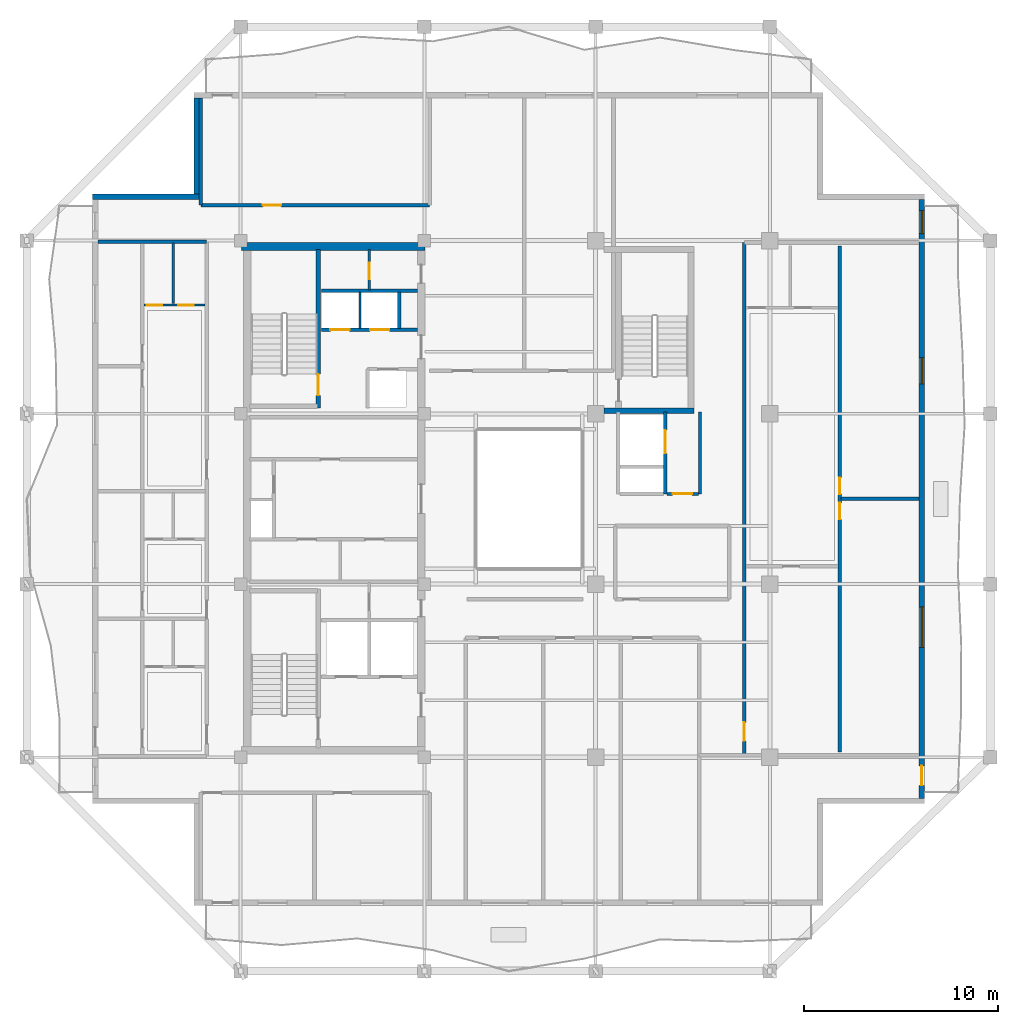
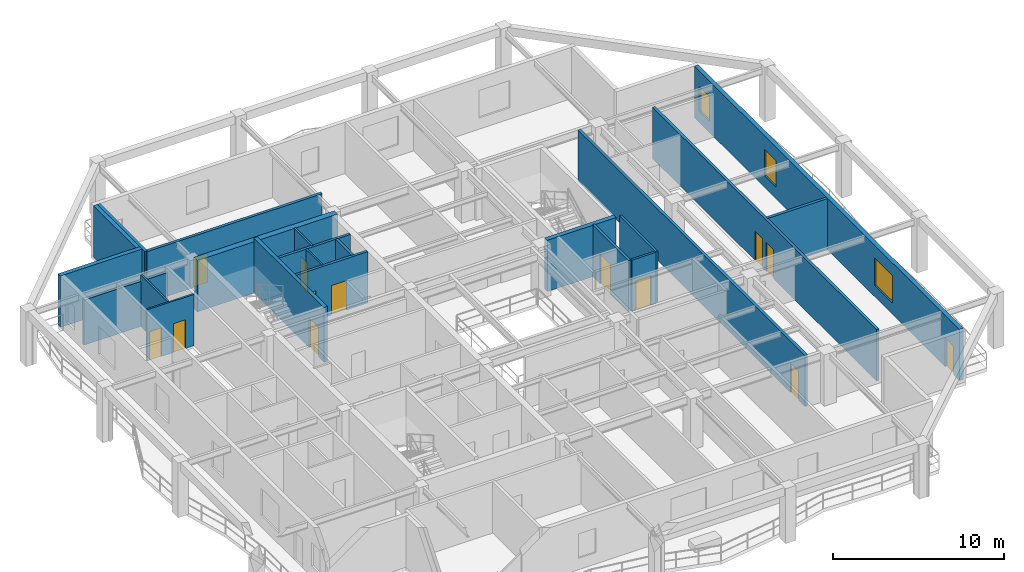
# One storey, part 5 of 11: 22 walls, 13 doors, 3 windows, 16 openings.
"""IFC4 building model written with IfcOpenShell, lengths in metres."""

from ifc_helpers import new_model, si_unit, direction, frame, frame_2d, origin, place, context, subcontext, project, spatial, rectangle, extrude, material, layer, layer_set, type_object, element, fill, save


model = new_model("IFC4")

# Units and contexts
model_context = context("Model", 3, precision=1e-05, world=origin(), true_north=direction((0.0, 1.0)))
body_context = subcontext(model_context, "Body", "Model", "MODEL_VIEW")
ifc_project = project(units=[si_unit("LENGTHUNIT", "METRE"), si_unit("AREAUNIT", "SQUARE_METRE"), si_unit("VOLUMEUNIT", "CUBIC_METRE"), si_unit("PLANEANGLEUNIT", "RADIAN"), si_unit("MASSUNIT", "GRAM", prefix="KILO")], contexts=[model_context])

# Site, building, storey
site_placement = place(None, origin())
site = spatial("IfcSite", under=ifc_project, at=site_placement, CompositionType="ELEMENT")
building_placement = place(site_placement, origin())
building = spatial("IfcBuilding", under=site, at=building_placement, Name="Kundavana Baori Tower", CompositionType="ELEMENT")
storey_placement = place(building_placement, frame((0.0, 0.0, 260.89990234375)))
storey = spatial("IfcBuildingStorey", under=building, at=storey_placement, Name="L64", CompositionType="ELEMENT", Elevation=260.89990234375)

# Wall
ifc_material_1 = material(Name="Concrete C50/60", Category="concrete")
ifc_layer_1 = layer(ifc_material_1, 0.39990234375, Name="WL-CORE-400")
ifc_layer_set_1 = layer_set([ifc_layer_1], Name="Concrete C50/60")
wall_type_1 = type_object("IfcWallType", Name="WL-CORE-400", PredefinedType="SHEAR", material=ifc_layer_set_1)
wall_1_placement = place(storey_placement, frame((15.5, 41.639892578125, 0.0), z_axis=(0.0, 0.0, 1.0), x_axis=(1.0, 0.0, 0.0)))
element("IfcWall", 1, at=wall_1_placement, inside=storey, type_object=wall_type_1, Name="L64 Offset Core North Shear Wall", PredefinedType="SHEAR", context=body_context, shape_type="SweptSolid", body=[
    extrude(rectangle(XDim=9.47998046875, YDim=0.39990234375, at=frame_2d((4.739990234375, 0.0))), origin(), (0.0, 0.0, 1.0), 3.66015625),
])

# Wall, opening, door
wall_2_placement = place(storey_placement, frame((19.4599609375, 33.300048828125, 0.0), z_axis=(0.0, 0.0, 1.0), x_axis=(0.0, 1.0, 0.0)))
wall_2 = element("IfcWall", 2, at=wall_2_placement, inside=storey, type_object=wall_type_1, Name="WL-L64-ST2-E", PredefinedType="SHEAR", context=body_context, shape_type="SweptSolid", body=[
    extrude(rectangle(XDim=8.179931640625, YDim=0.239990234375, at=frame_2d((4.08984375, 0.0))), origin(), (0.0, 0.0, 1.0), 3.900146484375),
])
opening_1_placement = place(wall_2_placement, frame((0.64990234375, 0.0, 0.0)))
opening_1 = element("IfcOpeningElement", 3, at=opening_1_placement, cuts=wall_2, Name="Opening FD-110", PredefinedType="OPENING", context=body_context, shape_type="SweptSolid", body=[
    extrude(rectangle(XDim=1.10009765625, YDim=2.10009765625, at=frame_2d((0.550048828125, 1.050048828125))), frame((0.0, 0.1298828125, 0.0), z_axis=(0.0, -1.0, 0.0), x_axis=(1.0, 0.0, 0.0)), (0.0, 0.0, 1.0), 0.260009765625),
])
ifc_material_2 = material(Name="Galvanised Steel Fire-Rated Door Leaf", Category="steel")
door_type_1 = type_object("IfcDoorType", Name="DR-FD120-1100", OperationType="NOTDEFINED", PredefinedType="DOOR", material=ifc_material_2)
door_1_placement = place(opening_1_placement, origin())
door_1 = element("IfcDoor", 4, at=door_1_placement, inside=storey, type_object=door_type_1, Name="DR-L64-ST2", OperationType="SINGLE_SWING_RIGHT", OverallHeight=2.10009765625, OverallWidth=1.10009765625, PredefinedType="DOOR", context=body_context, shape_type="SweptSolid", body=[
    extrude(rectangle(XDim=1.10009765625, YDim=2.10009765625, at=frame_2d((0.550048828125, 1.050048828125))), frame((0.0, 0.02490234375, 0.0), z_axis=(0.0, -1.0, 0.0), x_axis=(1.0, 0.0, 0.0)), (0.0, 0.0, 1.0), 0.050048828125),
])
fill(opening_1, door_1)

# Wall, openings, door, windows
ifc_material_3 = material(Name="Red-Buff Dholpur Sandstone Cladding on Concrete C40/50", Category="masonry")
ifc_layer_2 = layer(ifc_material_3, 0.280029296875, Name="WL-EXT-SAND-280")
ifc_layer_set_2 = layer_set([ifc_layer_2], Name="Red-Buff Dholpur Sandstone Cladding on Concrete C40/50")
wall_type_2 = type_object("IfcWallType", Name="WL-EXT-SAND-280", PredefinedType="STANDARD", material=ifc_layer_set_2)
wall_3_placement = place(storey_placement, frame((50.659912109375, 13.1298828125, 0.0), z_axis=(0.0, 0.0, 1.0), x_axis=(0.0, 1.0, 0.0)))
wall_3 = element("IfcWall", 5, at=wall_3_placement, inside=storey, type_object=wall_type_2, Name="L64 Exterior Insulated Facade Wall 04", PredefinedType="STANDARD", context=body_context, shape_type="SweptSolid", body=[
    extrude(rectangle(XDim=30.940185546875, YDim=0.280029296875, at=frame_2d((15.47021484375, 0.0))), origin(), (0.0, 0.0, 1.0), 3.66015625),
])
opening_2_placement = place(wall_3_placement, frame((0.669921875, 0.0, 0.0)))
opening_2 = element("IfcOpeningElement", 6, at=opening_2_placement, cuts=wall_3, Name="Opening BD-1", PredefinedType="OPENING", context=body_context, shape_type="SweptSolid", body=[
    extrude(rectangle(XDim=1.0, YDim=2.050048828125, at=frame_2d((0.5, 1.02490234375))), frame((0.0, 0.14990234375, 0.0), z_axis=(0.0, -1.0, 0.0), x_axis=(1.0, 0.0, 0.0)), (0.0, 0.0, 1.0), 0.300048828125),
])
opening_3_placement = place(wall_3_placement, frame((7.794921875, 0.0, 0.800048828125)))
opening_3 = element("IfcOpeningElement", 7, at=opening_3_placement, cuts=wall_3, Name="Opening W-05", PredefinedType="OPENING", context=body_context, shape_type="SweptSolid", body=[
    extrude(rectangle(XDim=2.10009765625, YDim=1.949951171875, at=frame_2d((1.050048828125, 0.97509765625))), frame((0.0, 0.14990234375, 0.0), z_axis=(0.0, -1.0, 0.0), x_axis=(1.0, 0.0, 0.0)), (0.0, 0.0, 1.0), 0.300048828125),
])
opening_4_placement = place(wall_3_placement, frame((21.419921875, 0.0, 0.800048828125)))
opening_4 = element("IfcOpeningElement", 8, at=opening_4_placement, cuts=wall_3, Name="Opening W-07", PredefinedType="OPENING", context=body_context, shape_type="SweptSolid", body=[
    extrude(rectangle(XDim=1.35009765625, YDim=1.89990234375, at=frame_2d((0.675048828125, 0.949951171875))), frame((0.0, 0.14990234375, 0.0), z_axis=(0.0, -1.0, 0.0), x_axis=(1.0, 0.0, 0.0)), (0.0, 0.0, 1.0), 0.300048828125),
])
opening_5_placement = place(wall_3_placement, frame((29.175048828125, 0.0, 0.800048828125)))
opening_5 = element("IfcOpeningElement", 9, at=opening_5_placement, cuts=wall_3, Name="Opening W-03", PredefinedType="OPENING", context=body_context, shape_type="SweptSolid", body=[
    extrude(rectangle(XDim=1.199951171875, YDim=1.75, at=frame_2d((0.60009765625, 0.875))), frame((0.0, 0.14990234375, 0.0), z_axis=(0.0, -1.0, 0.0), x_axis=(1.0, 0.0, 0.0)), (0.0, 0.0, 1.0), 0.300048828125),
])
ifc_material_4 = material(Name="Architectural Patinated Bronze Metalwork")
door_type_2 = type_object("IfcDoorType", Name="DR-EXT-LOG-1000", OperationType="NOTDEFINED", PredefinedType="DOOR", material=ifc_material_4)
door_2_placement = place(opening_2_placement, frame((1.0, 0.0, 0.0), z_axis=(0.0, 0.0, 1.0), x_axis=(-1.0, 0.0, 0.0)))
door_2 = element("IfcDoor", 10, at=door_2_placement, inside=storey, type_object=door_type_2, Name="L64 Loggia Balcony Access Door E", OperationType="SINGLE_SWING_RIGHT", OverallHeight=2.050048828125, OverallWidth=1.0, PredefinedType="DOOR", context=body_context, shape_type="SweptSolid", body=[
    extrude(rectangle(XDim=1.0, YDim=2.050048828125, at=frame_2d((0.5, 1.02490234375))), frame((0.0, 0.02490234375, 0.0), z_axis=(0.0, -1.0, 0.0), x_axis=(1.0, 0.0, 0.0)), (0.0, 0.0, 1.0), 0.050048828125),
])
fill(opening_2, door_2)
ifc_material_5 = material(Name="Double-Glazed Solar-Control Low-E Insulated Glass", Category="glass")
window_type_1 = type_object("IfcWindowType", Name="WIN-LOG-1200x1750", PartitioningType="SINGLE_PANEL", PredefinedType="WINDOW", material=ifc_material_5)
window_1_placement = place(opening_5_placement, origin())
window_1 = element("IfcWindow", 11, at=window_1_placement, inside=storey, type_object=window_type_1, Name="L64 Recessed Loggia Window E-4", OverallHeight=1.75, OverallWidth=1.199951171875, PartitioningType="SINGLE_PANEL", PredefinedType="WINDOW", context=body_context, shape_type="SweptSolid", body=[
    extrude(rectangle(XDim=1.199951171875, YDim=1.75, at=frame_2d((0.60009765625, 0.875))), frame((0.0, 0.030029296875, 0.0), z_axis=(0.0, -1.0, 0.0), x_axis=(1.0, 0.0, 0.0)), (0.0, 0.0, 1.0), 0.06005859375),
])
fill(opening_5, window_1)
ifc_material_6 = material(Name="Double-Glazed Solar-Control Low-E Insulated Glass", Category="glass")
window_type_2 = type_object("IfcWindowType", Name="WIN-LOG-1350x1900", PartitioningType="SINGLE_PANEL", PredefinedType="WINDOW", material=ifc_material_6)
window_2_placement = place(opening_4_placement, origin())
window_2 = element("IfcWindow", 12, at=window_2_placement, inside=storey, type_object=window_type_2, Name="L64 Recessed Loggia Window E-3", OverallHeight=1.89990234375, OverallWidth=1.35009765625, PartitioningType="SINGLE_PANEL", PredefinedType="WINDOW", context=body_context, shape_type="SweptSolid", body=[
    extrude(rectangle(XDim=1.35009765625, YDim=1.89990234375, at=frame_2d((0.675048828125, 0.949951171875))), frame((0.0, 0.030029296875, 0.0), z_axis=(0.0, -1.0, 0.0), x_axis=(1.0, 0.0, 0.0)), (0.0, 0.0, 1.0), 0.06005859375),
])
fill(opening_4, window_2)
ifc_material_7 = material(Name="Double-Glazed Solar-Control Low-E Insulated Glass", Category="glass")
window_type_3 = type_object("IfcWindowType", Name="WIN-LOG-2100x1950", PartitioningType="SINGLE_PANEL", PredefinedType="WINDOW", material=ifc_material_7)
window_3_placement = place(opening_3_placement, origin())
window_3 = element("IfcWindow", 13, at=window_3_placement, inside=storey, type_object=window_type_3, Name="L64 Recessed Loggia Window E-2", OverallHeight=1.949951171875, OverallWidth=2.10009765625, PartitioningType="SINGLE_PANEL", PredefinedType="WINDOW", context=body_context, shape_type="SweptSolid", body=[
    extrude(rectangle(XDim=2.10009765625, YDim=1.949951171875, at=frame_2d((1.050048828125, 0.97509765625))), frame((0.0, 0.030029296875, 0.0), z_axis=(0.0, -1.0, 0.0), x_axis=(1.0, 0.0, 0.0)), (0.0, 0.0, 1.0), 0.06005859375),
])
fill(opening_3, window_3)

# Walls
wall_4_placement = place(storey_placement, frame((13.18994140625, 49.320068359375, 0.0), z_axis=(0.0, 0.0, 1.0), x_axis=(0.0, -1.0, 0.0)))
element("IfcWall", 14, at=wall_4_placement, inside=storey, type_object=wall_type_2, Name="L64 Exterior Insulated Facade Wall 08", PredefinedType="STANDARD", context=body_context, shape_type="SweptSolid", body=[
    extrude(rectangle(XDim=4.969970703125, YDim=0.280029296875, at=frame_2d((2.48486328125, 0.0))), origin(), (0.0, 0.0, 1.0), 3.66015625),
])
wall_5_placement = place(storey_placement, frame((13.330078125, 44.2099609375, 0.0), z_axis=(0.0, 0.0, 1.0), x_axis=(-1.0, 0.0, 0.0)))
element("IfcWall", 15, at=wall_5_placement, inside=storey, type_object=wall_type_2, Name="L64 Exterior Insulated Facade Wall 09", PredefinedType="STANDARD", context=body_context, shape_type="SweptSolid", body=[
    extrude(rectangle(XDim=5.530029296875, YDim=0.280029296875, at=frame_2d((2.76513671875, 0.0))), origin(), (0.0, 0.0, 1.0), 3.66015625),
])
ifc_material_8 = material(Name="Acoustic Gypsum Plasterboard on Galvanised Steel Studs", Category="steel")
ifc_layer_3 = layer(ifc_material_8, 0.1201171875, Name="WL-PART-120")
ifc_layer_set_3 = layer_set([ifc_layer_3], Name="Acoustic Gypsum Plasterboard on Galvanised Steel Studs")
wall_type_3 = type_object("IfcWallType", Name="WL-PART-120", PredefinedType="PARTITIONING", material=ifc_layer_set_3)
wall_6_placement = place(storey_placement, frame((21.6201171875, 37.39990234375, 0.0), z_axis=(0.0, 0.0, 1.0), x_axis=(0.0, 1.0, 0.0)))
element("IfcWall", 16, at=wall_6_placement, inside=storey, type_object=wall_type_3, Name="WL-L64-HR-DIV1", PredefinedType="PARTITIONING", context=body_context, shape_type="SweptSolid", body=[
    extrude(rectangle(XDim=1.900146484375, YDim=0.1201171875, at=frame_2d((0.9501953125, 0.0))), origin(), (0.0, 0.0, 1.0), 3.66015625),
])

# Wall, opening, door
wall_7_placement = place(storey_placement, frame((22.10009765625, 39.39990234375, 0.0), z_axis=(0.0, 0.0, 1.0), x_axis=(0.0, 1.0, 0.0)))
wall_7 = element("IfcWall", 17, at=wall_7_placement, inside=storey, type_object=wall_type_3, Name="WL-L64-CSRV-D1", PredefinedType="PARTITIONING", context=body_context, shape_type="SweptSolid", body=[
    extrude(rectangle(XDim=2.080078125, YDim=0.1201171875, at=frame_2d((1.0400390625, 0.0))), origin(), (0.0, 0.0, 1.0), 3.66015625),
])
opening_6_placement = place(wall_7_placement, frame((0.550048828125, 0.0, 0.0)))
opening_6 = element("IfcOpeningElement", 18, at=opening_6_placement, cuts=wall_7, Name="Opening FD-085", PredefinedType="OPENING", context=body_context, shape_type="SweptSolid", body=[
    extrude(rectangle(XDim=0.85009765625, YDim=2.06005859375, at=frame_2d((0.425048828125, 1.030029296875))), frame((0.0, 0.070068359375, 0.0), z_axis=(0.0, -1.0, 0.0), x_axis=(1.0, 0.0, 0.0)), (0.0, 0.0, 1.0), 0.14013671875),
])
ifc_material_9 = material(Name="Galvanised Steel Fire-Rated Door Leaf", Category="steel")
door_type_3 = type_object("IfcDoorType", Name="DR-FD60-850", OperationType="NOTDEFINED", PredefinedType="DOOR", material=ifc_material_9)
door_3_placement = place(opening_6_placement, origin())
door_3 = element("IfcDoor", 19, at=door_3_placement, inside=storey, type_object=door_type_3, Name="DR-L64-CSRV1", OperationType="SINGLE_SWING_LEFT", OverallHeight=2.06005859375, OverallWidth=0.85009765625, PredefinedType="DOOR", context=body_context, shape_type="SweptSolid", body=[
    extrude(rectangle(XDim=0.85009765625, YDim=2.06005859375, at=frame_2d((0.425048828125, 1.030029296875))), frame((0.0, 0.02490234375, 0.0), z_axis=(0.0, -1.0, 0.0), x_axis=(1.0, 0.0, 0.0)), (0.0, 0.0, 1.0), 0.050048828125),
])
fill(opening_6, door_3)

# Wall
ifc_material_10 = material(Name="Fire-Rated Gypsum Drywall on Galvanised Steel Studs", Category="steel")
ifc_layer_4 = layer(ifc_material_10, 0.14990234375, Name="WL-PART-150")
ifc_layer_set_4 = layer_set([ifc_layer_4], Name="Fire-Rated Gypsum Drywall on Galvanised Steel Studs")
wall_type_4 = type_object("IfcWallType", Name="WL-PART-150", PredefinedType="PARTITIONING", material=ifc_layer_set_4)
wall_8_placement = place(storey_placement, frame((39.199951171875, 28.860107421875, 0.0), z_axis=(0.0, 0.0, 1.0), x_axis=(0.0, 1.0, 0.0)))
element("IfcWall", 20, at=wall_8_placement, inside=storey, type_object=wall_type_4, Name="WL-L64-SVLOB-E", PredefinedType="PARTITIONING", context=body_context, shape_type="SweptSolid", body=[
    extrude(rectangle(XDim=4.219970703125, YDim=0.14990234375, at=frame_2d((2.10986328125, 0.0))), origin(), (0.0, 0.0, 1.0), 3.66015625),
])

# Wall, opening, door
wall_9_placement = place(storey_placement, frame((37.47998046875, 28.860107421875, 0.0), z_axis=(0.0, 0.0, 1.0), x_axis=(1.0, 0.0, 0.0)))
wall_9 = element("IfcWall", 21, at=wall_9_placement, inside=storey, type_object=wall_type_4, Name="WL-L64-SVLOB-S", PredefinedType="PARTITIONING", context=body_context, shape_type="SweptSolid", body=[
    extrude(rectangle(XDim=1.64013671875, YDim=0.14990234375, at=frame_2d((0.820068359375, 0.0))), origin(), (0.0, 0.0, 1.0), 3.66015625),
])
opening_7_placement = place(wall_9_placement, frame((0.300048828125, 0.0, 0.0)))
opening_7 = element("IfcOpeningElement", 22, at=opening_7_placement, cuts=wall_9, Name="Opening FD-100", PredefinedType="OPENING", context=body_context, shape_type="SweptSolid", body=[
    extrude(rectangle(XDim=1.0, YDim=2.10009765625, at=frame_2d((0.5, 1.050048828125))), frame((0.0, 0.0849609375, 0.0), z_axis=(0.0, -1.0, 0.0), x_axis=(1.0, 0.0, 0.0)), (0.0, 0.0, 1.0), 0.169921875),
])
ifc_material_11 = material(Name="Engineered Teak Fire-Rated Timber Door Leaf", Category="wood")
door_type_4 = type_object("IfcDoorType", Name="DR-FD60-1000", OperationType="NOTDEFINED", PredefinedType="DOOR", material=ifc_material_11)
door_4_placement = place(opening_7_placement, origin())
door_4 = element("IfcDoor", 23, at=door_4_placement, inside=storey, type_object=door_type_4, Name="DR-L64-SVLOB-OUT", OperationType="SINGLE_SWING_LEFT", OverallHeight=2.10009765625, OverallWidth=1.0, PredefinedType="DOOR", context=body_context, shape_type="SweptSolid", body=[
    extrude(rectangle(XDim=1.0, YDim=2.10009765625, at=frame_2d((0.5, 1.050048828125))), frame((0.0, 0.02490234375, 0.0), z_axis=(0.0, -1.0, 0.0), x_axis=(1.0, 0.0, 0.0)), (0.0, 0.0, 1.0), 0.050048828125),
])
fill(opening_7, door_4)

ifc_material_12 = material(Name="Autoclaved Aerated Concrete Blockwork Masonry", Category="masonry")
ifc_layer_5 = layer(ifc_material_12, 0.18505859375, Name="WL-PART-180")
ifc_layer_set_5 = layer_set([ifc_layer_5], Name="Autoclaved Aerated Concrete Blockwork Masonry")
wall_type_5 = type_object("IfcWallType", Name="WL-PART-180", PredefinedType="SOLIDWALL", material=ifc_layer_set_5)
wall_10_placement = place(storey_placement, frame((13.39990234375, 43.780029296875, 0.0), z_axis=(0.0, 0.0, 1.0), x_axis=(1.0, 0.0, 0.0)))
wall_10 = element("IfcWall", 24, at=wall_10_placement, inside=storey, type_object=wall_type_5, Name="WL-L64-RNC", PredefinedType="SOLIDWALL", context=body_context, shape_type="SweptSolid", body=[
    extrude(rectangle(XDim=11.820068359375, YDim=0.18505859375, at=frame_2d((5.91015625, 0.0))), origin(), (0.0, 0.0, 1.0), 3.66015625),
])
opening_8_placement = place(wall_10_placement, frame((3.199951171875, 0.0, 0.0)))
opening_8 = element("IfcOpeningElement", 25, at=opening_8_placement, cuts=wall_10, Name="Opening ID-095", PredefinedType="OPENING", context=body_context, shape_type="SweptSolid", body=[
    extrude(rectangle(XDim=0.949951171875, YDim=2.080078125, at=frame_2d((0.47509765625, 1.0400390625))), frame((0.0, 0.1025390625, 0.0), z_axis=(0.0, -1.0, 0.0), x_axis=(1.0, 0.0, 0.0)), (0.0, 0.0, 1.0), 0.205078125),
])
ifc_material_13 = material(Name="Engineered Teak Solid-Core Timber Veneer", Category="wood")
door_type_5 = type_object("IfcDoorType", Name="DR-INT-950", OperationType="NOTDEFINED", PredefinedType="DOOR", material=ifc_material_13)
door_5_placement = place(opening_8_placement, origin())
door_5 = element("IfcDoor", 26, at=door_5_placement, inside=storey, type_object=door_type_5, Name="DR-L64-RMNW", OperationType="SINGLE_SWING_RIGHT", OverallHeight=2.080078125, OverallWidth=0.949951171875, PredefinedType="DOOR", context=body_context, shape_type="SweptSolid", body=[
    extrude(rectangle(XDim=0.949951171875, YDim=2.080078125, at=frame_2d((0.47509765625, 1.0400390625))), frame((0.0, 0.02490234375, 0.0), z_axis=(0.0, -1.0, 0.0), x_axis=(1.0, 0.0, 0.0)), (0.0, 0.0, 1.0), 0.050048828125),
])
fill(opening_8, door_5)

# Walls
wall_11_placement = place(storey_placement, frame((13.39990234375, 43.780029296875, 0.0), z_axis=(0.0, 0.0, 1.0), x_axis=(0.0, 1.0, 0.0)))
element("IfcWall", 27, at=wall_11_placement, inside=storey, type_object=wall_type_5, Name="WL-L64-RNCW", PredefinedType="SOLIDWALL", context=body_context, shape_type="SweptSolid", body=[
    extrude(rectangle(XDim=5.5400390625, YDim=0.18505859375, at=frame_2d((2.77001953125, 0.0))), origin(), (0.0, 0.0, 1.0), 3.66015625),
])
wall_12_placement = place(storey_placement, frame((8.080078125, 41.89990234375, 0.0), z_axis=(0.0, 0.0, 1.0), x_axis=(1.0, 0.0, 0.0)))
element("IfcWall", 28, at=wall_12_placement, inside=storey, type_object=wall_type_5, Name="WL-L64-RWN", PredefinedType="SOLIDWALL", context=body_context, shape_type="SweptSolid", body=[
    extrude(rectangle(XDim=5.619873046875, YDim=0.18505859375, at=frame_2d((2.81005859375, 0.0))), origin(), (0.0, 0.0, 1.0), 3.210205078125),
])

# Wall, opening, door
wall_13_placement = place(storey_placement, frame((41.47998046875, 15.35009765625, 0.0), z_axis=(0.0, 0.0, 1.0), x_axis=(0.0, 1.0, 0.0)))
wall_13 = element("IfcWall", 29, at=wall_13_placement, inside=storey, type_object=wall_type_5, Name="WL-L64-RE", PredefinedType="SOLIDWALL", context=body_context, shape_type="SweptSolid", body=[
    extrude(rectangle(XDim=26.5, YDim=0.18505859375, at=frame_2d((13.25, 0.0))), origin(), (0.0, 0.0, 1.0), 3.66015625),
])
opening_9_placement = place(wall_13_placement, frame((0.75, 0.0, 0.0)))
opening_9 = element("IfcOpeningElement", 30, at=opening_9_placement, cuts=wall_13, Name="Opening FD-095", PredefinedType="OPENING", context=body_context, shape_type="SweptSolid", body=[
    extrude(rectangle(XDim=0.949951171875, YDim=2.10009765625, at=frame_2d((0.47509765625, 1.050048828125))), frame((0.0, 0.1025390625, 0.0), z_axis=(0.0, -1.0, 0.0), x_axis=(1.0, 0.0, 0.0)), (0.0, 0.0, 1.0), 0.205078125),
])
ifc_material_14 = material(Name="Engineered Teak Fire-Rated Timber Door Leaf", Category="wood")
door_type_6 = type_object("IfcDoorType", Name="DR-FD60-950", OperationType="NOTDEFINED", PredefinedType="DOOR", material=ifc_material_14)
door_6_placement = place(opening_9_placement, origin())
door_6 = element("IfcDoor", 31, at=door_6_placement, inside=storey, type_object=door_type_6, Name="DR-L64-E1-ENT", OperationType="SINGLE_SWING_LEFT", OverallHeight=2.10009765625, OverallWidth=0.949951171875, PredefinedType="DOOR", context=body_context, shape_type="SweptSolid", body=[
    extrude(rectangle(XDim=0.949951171875, YDim=2.10009765625, at=frame_2d((0.47509765625, 1.050048828125))), frame((0.0, 0.02490234375, 0.0), z_axis=(0.0, -1.0, 0.0), x_axis=(1.0, 0.0, 0.0)), (0.0, 0.0, 1.0), 0.050048828125),
])
fill(opening_9, door_6)

# Wall, openings, doors
wall_14_placement = place(storey_placement, frame((46.407958984375, 15.530029296875, 0.0), z_axis=(0.0, 0.0, 1.0), x_axis=(0.0, 1.0, 0.0)))
wall_14 = element("IfcWall", 32, at=wall_14_placement, inside=storey, type_object=wall_type_5, Name="WL-L64-E1-VT", PredefinedType="SOLIDWALL", context=body_context, shape_type="SweptSolid", body=[
    extrude(rectangle(XDim=26.139892578125, YDim=0.18505859375, at=frame_2d((13.06982421875, 0.0))), origin(), (0.0, 0.0, 1.0), 3.66015625),
])
opening_10_placement = place(wall_14_placement, frame((12.02001953125, 0.0, 0.0)))
opening_10 = element("IfcOpeningElement", 33, at=opening_10_placement, cuts=wall_14, Name="Opening ID-085", PredefinedType="OPENING", context=body_context, shape_type="SweptSolid", body=[
    extrude(rectangle(XDim=0.85009765625, YDim=2.080078125, at=frame_2d((0.425048828125, 1.0400390625))), frame((0.0, 0.1025390625, 0.0), z_axis=(0.0, -1.0, 0.0), x_axis=(1.0, 0.0, 0.0)), (0.0, 0.0, 1.0), 0.205078125),
])
opening_11_placement = place(wall_14_placement, frame((13.320068359375, 0.0, 0.0)))
opening_11 = element("IfcOpeningElement", 34, at=opening_11_placement, cuts=wall_14, Name="Opening ID-085", PredefinedType="OPENING", context=body_context, shape_type="SweptSolid", body=[
    extrude(rectangle(XDim=0.85009765625, YDim=2.080078125, at=frame_2d((0.425048828125, 1.0400390625))), frame((0.0, 0.1025390625, 0.0), z_axis=(0.0, -1.0, 0.0), x_axis=(1.0, 0.0, 0.0)), (0.0, 0.0, 1.0), 0.205078125),
])
ifc_material_15 = material(Name="Engineered Teak Solid-Core Timber Veneer", Category="wood")
door_type_7 = type_object("IfcDoorType", Name="DR-INT-850", OperationType="NOTDEFINED", PredefinedType="DOOR", material=ifc_material_15)
door_7_placement = place(opening_10_placement, origin())
door_7 = element("IfcDoor", 35, at=door_7_placement, inside=storey, type_object=door_type_7, Name="DR-L64-E1-B1", OperationType="SINGLE_SWING_LEFT", OverallHeight=2.080078125, OverallWidth=0.85009765625, PredefinedType="DOOR", context=body_context, shape_type="SweptSolid", body=[
    extrude(rectangle(XDim=0.85009765625, YDim=2.080078125, at=frame_2d((0.425048828125, 1.0400390625))), frame((0.0, 0.02490234375, 0.0), z_axis=(0.0, -1.0, 0.0), x_axis=(1.0, 0.0, 0.0)), (0.0, 0.0, 1.0), 0.050048828125),
])
fill(opening_10, door_7)
door_8_placement = place(opening_11_placement, origin())
door_8 = element("IfcDoor", 36, at=door_8_placement, inside=storey, type_object=door_type_7, Name="DR-L64-E1-B2", OperationType="SINGLE_SWING_RIGHT", OverallHeight=2.080078125, OverallWidth=0.85009765625, PredefinedType="DOOR", context=body_context, shape_type="SweptSolid", body=[
    extrude(rectangle(XDim=0.85009765625, YDim=2.080078125, at=frame_2d((0.425048828125, 1.0400390625))), frame((0.0, 0.02490234375, 0.0), z_axis=(0.0, -1.0, 0.0), x_axis=(1.0, 0.0, 0.0)), (0.0, 0.0, 1.0), 0.050048828125),
])
fill(opening_11, door_8)

# Wall
wall_15_placement = place(storey_placement, frame((46.488037109375, 28.60009765625, 0.0), z_axis=(0.0, 0.0, 1.0), x_axis=(1.0, 0.0, 0.0)))
element("IfcWall", 37, at=wall_15_placement, inside=storey, type_object=wall_type_5, Name="WL-L64-E1-BDH", PredefinedType="SOLIDWALL", context=body_context, shape_type="SweptSolid", body=[
    extrude(rectangle(XDim=4.031982421875, YDim=0.18505859375, at=frame_2d((2.01611328125, 0.0))), origin(), (0.0, 0.0, 1.0), 3.66015625),
])

# Wall, openings, doors
ifc_material_16 = material(Name="Autoclaved Aerated Concrete Blockwork Masonry", Category="masonry")
ifc_layer_6 = layer(ifc_material_16, 0.179931640625, Name="WL-SHAFT-180")
ifc_layer_set_6 = layer_set([ifc_layer_6], Name="Autoclaved Aerated Concrete Blockwork Masonry")
wall_type_6 = type_object("IfcWallType", Name="WL-SHAFT-180", PredefinedType="SOLIDWALL", material=ifc_layer_set_6)
wall_16_placement = place(storey_placement, frame((19.639892578125, 37.340087890625, 0.0), z_axis=(0.0, 0.0, 1.0), x_axis=(1.0, 0.0, 0.0)))
wall_16 = element("IfcWall", 38, at=wall_16_placement, inside=storey, type_object=wall_type_6, Name="WL-L64-HRLOB-N", PredefinedType="SOLIDWALL", context=body_context, shape_type="SweptSolid", body=[
    extrude(rectangle(XDim=4.940185546875, YDim=0.179931640625, at=frame_2d((2.47021484375, 0.0))), origin(), (0.0, 0.0, 1.0), 3.66015625),
])
opening_12_placement = place(wall_16_placement, frame((0.449951171875, 0.0, 0.0)))
opening_12 = element("IfcOpeningElement", 39, at=opening_12_placement, cuts=wall_16, Name="Opening LD-100", PredefinedType="OPENING", context=body_context, shape_type="SweptSolid", body=[
    extrude(rectangle(XDim=1.0, YDim=2.10009765625, at=frame_2d((0.5, 1.050048828125))), frame((0.0, 0.10009765625, 0.0), z_axis=(0.0, -1.0, 0.0), x_axis=(1.0, 0.0, 0.0)), (0.0, 0.0, 1.0), 0.199951171875),
])
opening_13_placement = place(wall_16_placement, frame((2.5, 0.0, 0.0)))
opening_13 = element("IfcOpeningElement", 40, at=opening_13_placement, cuts=wall_16, Name="Opening LD-100", PredefinedType="OPENING", context=body_context, shape_type="SweptSolid", body=[
    extrude(rectangle(XDim=1.0, YDim=2.10009765625, at=frame_2d((0.5, 1.050048828125))), frame((0.0, 0.10009765625, 0.0), z_axis=(0.0, -1.0, 0.0), x_axis=(1.0, 0.0, 0.0)), (0.0, 0.0, 1.0), 0.199951171875),
])
ifc_material_17 = material(Name="Galvanised Steel Fire-Rated Door Leaf", Category="steel")
door_type_8 = type_object("IfcDoorType", Name="DR-SLIDE-LD1000", OperationType="NOTDEFINED", PredefinedType="DOOR", material=ifc_material_17)
door_9_placement = place(opening_12_placement, frame((1.0, 0.0, 0.0), z_axis=(0.0, 0.0, 1.0), x_axis=(-1.0, 0.0, 0.0)))
door_9 = element("IfcDoor", 41, at=door_9_placement, inside=storey, type_object=door_type_8, Name="DR-L64-LD-LP09", OperationType="DOUBLE_DOOR_SLIDING", OverallHeight=2.10009765625, OverallWidth=1.0, PredefinedType="DOOR", context=body_context, shape_type="SweptSolid", body=[
    extrude(rectangle(XDim=1.0, YDim=2.10009765625, at=frame_2d((0.5, 1.050048828125))), frame((0.0, 0.02490234375, 0.0), z_axis=(0.0, -1.0, 0.0), x_axis=(1.0, 0.0, 0.0)), (0.0, 0.0, 1.0), 0.050048828125),
])
fill(opening_12, door_9)
door_10_placement = place(opening_13_placement, frame((1.0, 0.0, 0.0), z_axis=(0.0, 0.0, 1.0), x_axis=(-1.0, 0.0, 0.0)))
door_10 = element("IfcDoor", 42, at=door_10_placement, inside=storey, type_object=door_type_8, Name="DR-L64-LD-LP10", OperationType="DOUBLE_DOOR_SLIDING", OverallHeight=2.10009765625, OverallWidth=1.0, PredefinedType="DOOR", context=body_context, shape_type="SweptSolid", body=[
    extrude(rectangle(XDim=1.0, YDim=2.10009765625, at=frame_2d((0.5, 1.050048828125))), frame((0.0, 0.02490234375, 0.0), z_axis=(0.0, -1.0, 0.0), x_axis=(1.0, 0.0, 0.0)), (0.0, 0.0, 1.0), 0.050048828125),
])
fill(opening_13, door_10)

# Walls
wall_17_placement = place(storey_placement, frame((19.639892578125, 39.360107421875, 0.0), z_axis=(0.0, 0.0, 1.0), x_axis=(1.0, 0.0, 0.0)))
element("IfcWall", 43, at=wall_17_placement, inside=storey, type_object=wall_type_6, Name="WL-L64-HRLOB-TOP", PredefinedType="SOLIDWALL", context=body_context, shape_type="SweptSolid", body=[
    extrude(rectangle(XDim=4.940185546875, YDim=0.179931640625, at=frame_2d((2.47021484375, 0.0))), origin(), (0.0, 0.0, 1.0), 3.66015625),
])
wall_18_placement = place(storey_placement, frame((23.659912109375, 37.39990234375, 0.0), z_axis=(0.0, 0.0, 1.0), x_axis=(0.0, 1.0, 0.0)))
element("IfcWall", 44, at=wall_18_placement, inside=storey, type_object=wall_type_6, Name="WL-L64-HR-DIV2", PredefinedType="SOLIDWALL", context=body_context, shape_type="SweptSolid", body=[
    extrude(rectangle(XDim=1.900146484375, YDim=0.179931640625, at=frame_2d((0.9501953125, 0.0))), origin(), (0.0, 0.0, 1.0), 3.66015625),
])

# Wall, opening, door
wall_19_placement = place(storey_placement, frame((37.389892578125, 28.860107421875, 0.0), z_axis=(0.0, 0.0, 1.0), x_axis=(0.0, 1.0, 0.0)))
wall_19 = element("IfcWall", 45, at=wall_19_placement, inside=storey, type_object=wall_type_6, Name="WL-L64-SVL-E", PredefinedType="SOLIDWALL", context=body_context, shape_type="SweptSolid", body=[
    extrude(rectangle(XDim=4.219970703125, YDim=0.179931640625, at=frame_2d((2.10986328125, 0.0))), origin(), (0.0, 0.0, 1.0), 3.66015625),
])
opening_14_placement = place(wall_19_placement, frame((2.10009765625, 0.0, 0.0)))
opening_14 = element("IfcOpeningElement", 46, at=opening_14_placement, cuts=wall_19, Name="Opening LD-120", PredefinedType="OPENING", context=body_context, shape_type="SweptSolid", body=[
    extrude(rectangle(XDim=1.199951171875, YDim=2.1201171875, at=frame_2d((0.60009765625, 1.06005859375))), frame((0.0, 0.10009765625, 0.0), z_axis=(0.0, -1.0, 0.0), x_axis=(1.0, 0.0, 0.0)), (0.0, 0.0, 1.0), 0.199951171875),
])
ifc_material_18 = material(Name="Galvanised Steel Fire-Rated Door Leaf", Category="steel")
door_type_9 = type_object("IfcDoorType", Name="DR-SLIDE-LD1200", OperationType="NOTDEFINED", PredefinedType="DOOR", material=ifc_material_18)
door_11_placement = place(opening_14_placement, frame((1.199951171875, 0.0, 0.0), z_axis=(0.0, 0.0, 1.0), x_axis=(-1.0, 0.0, 0.0)))
door_11 = element("IfcDoor", 47, at=door_11_placement, inside=storey, type_object=door_type_9, Name="DR-L64-LD-SVL1", OperationType="DOUBLE_DOOR_SLIDING", OverallHeight=2.1201171875, OverallWidth=1.199951171875, PredefinedType="DOOR", context=body_context, shape_type="SweptSolid", body=[
    extrude(rectangle(XDim=1.199951171875, YDim=2.1201171875, at=frame_2d((0.60009765625, 1.06005859375))), frame((0.0, 0.02490234375, 0.0), z_axis=(0.0, -1.0, 0.0), x_axis=(1.0, 0.0, 0.0)), (0.0, 0.0, 1.0), 0.050048828125),
])
fill(opening_14, door_11)

# Wall
ifc_material_19 = material(Name="Concrete C50/60", Category="concrete")
ifc_layer_7 = layer(ifc_material_19, 0.300048828125, Name="WL-ST3-300")
ifc_layer_set_7 = layer_set([ifc_layer_7], Name="Concrete C50/60")
wall_type_7 = type_object("IfcWallType", Name="WL-ST3-300", PredefinedType="SHEAR", material=ifc_layer_set_7)
wall_20_placement = place(storey_placement, frame((34.22509765625, 33.159912109375, 0.0), z_axis=(0.0, 0.0, 1.0), x_axis=(1.0, 0.0, 0.0)))
element("IfcWall", 48, at=wall_20_placement, inside=storey, type_object=wall_type_7, Name="L64 Stair ST3 South Shear Wall", PredefinedType="SHEAR", context=body_context, shape_type="SweptSolid", body=[
    extrude(rectangle(XDim=4.64501953125, YDim=0.300048828125, at=frame_2d((2.322509765625, 0.0))), origin(), (0.0, 0.0, 1.0), 3.66015625),
])

# Wall, openings, doors
ifc_material_20 = material(Name="Autoclaved Aerated Concrete Blockwork Masonry", Category="masonry")
ifc_layer_8 = layer(ifc_material_20, 0.125, Name="WL-WET-120")
ifc_layer_set_8 = layer_set([ifc_layer_8], Name="Autoclaved Aerated Concrete Blockwork Masonry")
wall_type_8 = type_object("IfcWallType", Name="WL-WET-120", PredefinedType="PLUMBINGWALL", material=ifc_layer_set_8)
wall_21_placement = place(storey_placement, frame((10.449951171875, 38.6201171875, 0.0), z_axis=(0.0, 0.0, 1.0), x_axis=(1.0, 0.0, 0.0)))
wall_21 = element("IfcWall", 49, at=wall_21_placement, inside=storey, type_object=wall_type_8, Name="WL-L64-W3-KH", PredefinedType="PLUMBINGWALL", context=body_context, shape_type="SweptSolid", body=[
    extrude(rectangle(XDim=3.170166015625, YDim=0.125, at=frame_2d((1.5849609375, 0.0))), origin(), (0.0, 0.0, 1.0), 3.66015625),
])
opening_15_placement = place(wall_21_placement, frame((0.159912109375, 0.0, 0.0)))
opening_15 = element("IfcOpeningElement", 50, at=opening_15_placement, cuts=wall_21, Name="Opening WD-080", PredefinedType="OPENING", context=body_context, shape_type="SweptSolid", body=[
    extrude(rectangle(XDim=0.800048828125, YDim=2.050048828125, at=frame_2d((0.39990234375, 1.02490234375))), frame((0.0, 0.072509765625, 0.0), z_axis=(0.0, -1.0, 0.0), x_axis=(1.0, 0.0, 0.0)), (0.0, 0.0, 1.0), 0.14501953125),
])
opening_16_placement = place(wall_21_placement, frame((1.781982421875, 0.0, 0.0)))
opening_16 = element("IfcOpeningElement", 51, at=opening_16_placement, cuts=wall_21, Name="Opening WD-080", PredefinedType="OPENING", context=body_context, shape_type="SweptSolid", body=[
    extrude(rectangle(XDim=0.800048828125, YDim=2.050048828125, at=frame_2d((0.39990234375, 1.02490234375))), frame((0.0, 0.072509765625, 0.0), z_axis=(0.0, -1.0, 0.0), x_axis=(1.0, 0.0, 0.0)), (0.0, 0.0, 1.0), 0.14501953125),
])
ifc_material_21 = material(Name="Engineered Teak Solid-Core Timber Veneer", Category="wood")
door_type_10 = type_object("IfcDoorType", Name="DR-WET-800", OperationType="NOTDEFINED", PredefinedType="DOOR", material=ifc_material_21)
door_12_placement = place(opening_15_placement, origin())
door_12 = element("IfcDoor", 52, at=door_12_placement, inside=storey, type_object=door_type_10, Name="DR-L64-W3-BT", OperationType="SINGLE_SWING_LEFT", OverallHeight=2.050048828125, OverallWidth=0.800048828125, PredefinedType="DOOR", context=body_context, shape_type="SweptSolid", body=[
    extrude(rectangle(XDim=0.800048828125, YDim=2.050048828125, at=frame_2d((0.39990234375, 1.02490234375))), frame((0.0, 0.02490234375, 0.0), z_axis=(0.0, -1.0, 0.0), x_axis=(1.0, 0.0, 0.0)), (0.0, 0.0, 1.0), 0.050048828125),
])
fill(opening_15, door_12)
door_13_placement = place(opening_16_placement, origin())
door_13 = element("IfcDoor", 53, at=door_13_placement, inside=storey, type_object=door_type_10, Name="DR-L64-W3-KT", OperationType="SINGLE_SWING_RIGHT", OverallHeight=2.050048828125, OverallWidth=0.800048828125, PredefinedType="DOOR", context=body_context, shape_type="SweptSolid", body=[
    extrude(rectangle(XDim=0.800048828125, YDim=2.050048828125, at=frame_2d((0.39990234375, 1.02490234375))), frame((0.0, 0.02490234375, 0.0), z_axis=(0.0, -1.0, 0.0), x_axis=(1.0, 0.0, 0.0)), (0.0, 0.0, 1.0), 0.050048828125),
])
fill(opening_16, door_13)

# Wall
wall_22_placement = place(storey_placement, frame((11.971923828125, 38.699951171875, 0.0), z_axis=(0.0, 0.0, 1.0), x_axis=(0.0, 1.0, 0.0)))
element("IfcWall", 54, at=wall_22_placement, inside=storey, type_object=wall_type_8, Name="WL-L64-W3-BV", PredefinedType="PLUMBINGWALL", context=body_context, shape_type="SweptSolid", body=[
    extrude(rectangle(XDim=3.1201171875, YDim=0.125, at=frame_2d((1.56005859375, 0.0))), origin(), (0.0, 0.0, 1.0), 3.66015625),
])

save(model, "model.ifc")
